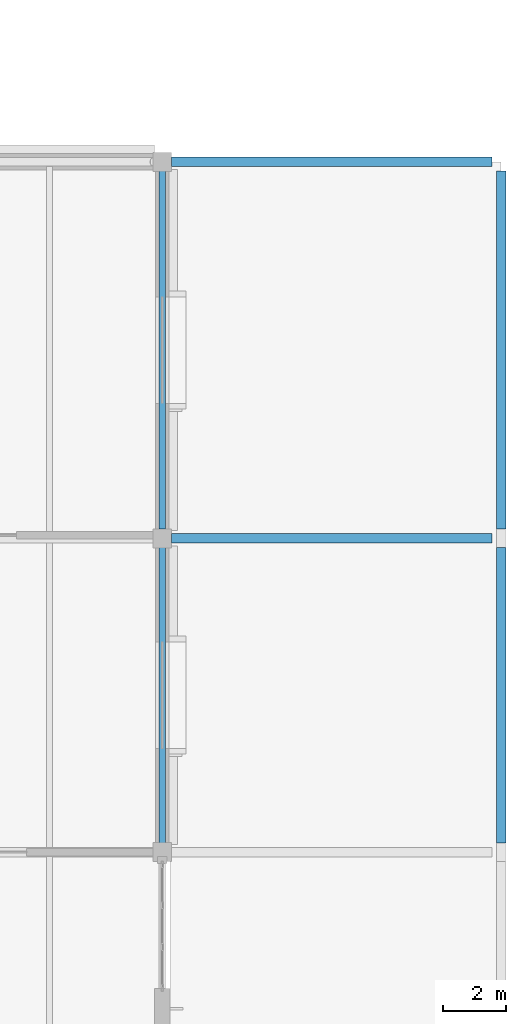
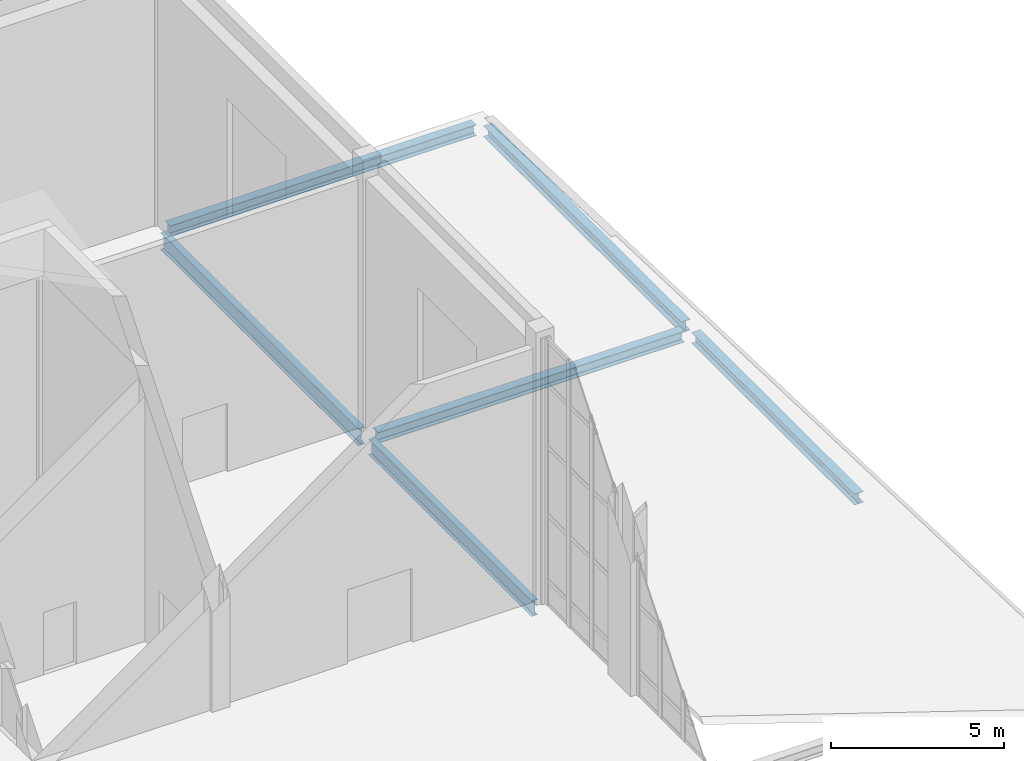
# One storey, part 60 of 100: 6 beams.
"""IFC4 building model written with IfcOpenShell, lengths in metres."""

from ifc_helpers import new_model, si_unit, direction, frame, origin, origin_2d, place, context, subcontext, project, spatial, i_section, extrude, material, material_profile, profile_set, type_object, element, save


model = new_model("IFC4")

# Units and contexts
model_context = context("Model", 3, precision=1e-05, world=origin(), true_north=direction((0.0, 1.0)))
body_context = subcontext(model_context, "Body", "Model", "MODEL_VIEW")
ifc_project = project(units=[si_unit("LENGTHUNIT", "METRE"), si_unit("AREAUNIT", "SQUARE_METRE"), si_unit("VOLUMEUNIT", "CUBIC_METRE"), si_unit("PLANEANGLEUNIT", "RADIAN"), si_unit("MASSUNIT", "GRAM", prefix="KILO")], contexts=[model_context])

# Site, building, storey
site_placement = place(None, origin())
site = spatial("IfcSite", under=ifc_project, at=site_placement, CompositionType="ELEMENT")
building_placement = place(site_placement, origin())
building = spatial("IfcBuilding", under=site, at=building_placement, Name="Tasgan Crest Museum", CompositionType="ELEMENT")
storey_placement = place(building_placement, frame((0.0, 0.0, 14.39990234375)))
storey = spatial("IfcBuildingStorey", under=building, at=storey_placement, Name="L03", CompositionType="ELEMENT", Elevation=14.39990234375)

# Beams
ifc_material_1 = material(Name="Steel S355J2", Category="steel")
ifc_material_profile_1 = material_profile(ifc_material_1, i_section(OverallWidth=0.300048828125, OverallDepth=0.389892578125, WebThickness=0.010986328125, FlangeThickness=0.01904296875, FilletRadius=0.027099609375, at=origin_2d()), Name="HEA 400")
ifc_profile_set_1 = profile_set([ifc_material_profile_1], Name="Steel S355J2")
beam_type_1 = type_object("IfcBeamType", Name="BM-G-HEA400", PredefinedType="BEAM", material=ifc_profile_set_1)
for number, where, z_axis, x_axis, name in (
    (1, (129.89599609375, 50.0, -0.474853515625), (1.0, 0.0, 0.0), (0.0, 1.0, 0.0), "East archive mid step roof girder F 129.6"),
    (2, (129.89599609375, 62.0, -0.474853515625), (1.0, 0.0, 0.0), (0.0, 1.0, 0.0), "East archive mid step roof girder G 129.6"),
):
    element("IfcBeam", number, at=place(storey_placement, frame(where, z_axis=z_axis, x_axis=x_axis)), inside=storey, type_object=beam_type_1, Name=name, PredefinedType="BEAM", context=body_context, shape_type="SweptSolid", body=[
        extrude(i_section(OverallWidth=0.300048828125, OverallDepth=0.389892578125, WebThickness=0.010986328125, FlangeThickness=0.01904296875, FilletRadius=0.027099609375, at=origin_2d()), origin(), (0.0, 0.0, 1.0), 10.2080078125),
    ])
beam_1_placement = place(storey_placement, frame((140.39990234375, 40.294921875, -0.474853515625), z_axis=(0.0, 1.0, 0.0), x_axis=(-1.0, 0.0, 0.0)))
element("IfcBeam", 3, at=beam_1_placement, inside=storey, type_object=beam_type_1, Name="East archive mid step roof beam 14 40.0", PredefinedType="BEAM", context=body_context, shape_type="SweptSolid", body=[
    extrude(i_section(OverallWidth=0.300048828125, OverallDepth=0.389892578125, WebThickness=0.010986328125, FlangeThickness=0.01904296875, FilletRadius=0.027099609375, at=origin_2d()), origin(), (0.0, 0.0, 1.0), 9.41015625),
])
beam_2_placement = place(storey_placement, frame((140.39990234375, 50.294921875, -0.474853515625), z_axis=(0.0, 1.0, 0.0), x_axis=(-1.0, 0.0, 0.0)))
element("IfcBeam", 4, at=beam_2_placement, inside=storey, type_object=beam_type_1, Name="East archive mid step roof beam 14 50.0", PredefinedType="BEAM", context=body_context, shape_type="SweptSolid", body=[
    extrude(i_section(OverallWidth=0.300048828125, OverallDepth=0.389892578125, WebThickness=0.010986328125, FlangeThickness=0.01904296875, FilletRadius=0.027099609375, at=origin_2d()), origin(), (0.0, 0.0, 1.0), 11.41015625),
])
ifc_material_2 = material(Name="Steel S355J2", Category="steel")
ifc_material_profile_2 = material_profile(ifc_material_2, i_section(OverallWidth=0.2099609375, OverallDepth=0.550048828125, WebThickness=0.010986328125, FlangeThickness=0.01708984375, FilletRadius=0.02392578125, at=origin_2d()), Name="IPE 550")
ifc_profile_set_2 = profile_set([ifc_material_profile_2], Name="Steel S355J2")
beam_type_2 = type_object("IfcBeamType", Name="BM-G-IPE550", PredefinedType="BEAM", material=ifc_profile_set_2)
beam_3_placement = place(storey_placement, frame((129.60009765625, 40.294921875, -0.554931640625), z_axis=(0.0, 1.0, 0.0), x_axis=(-1.0, 0.0, 0.0)))
element("IfcBeam", 5, at=beam_3_placement, inside=storey, type_object=beam_type_2, Name="Beam L03 13 40.0-50.0", PredefinedType="BEAM", context=body_context, shape_type="SweptSolid", body=[
    extrude(i_section(OverallWidth=0.2099609375, OverallDepth=0.550048828125, WebThickness=0.010986328125, FlangeThickness=0.01708984375, FilletRadius=0.02392578125, at=origin_2d()), origin(), (0.0, 0.0, 1.0), 9.41015625),
])
ifc_material_3 = material(Name="Steel S355J2", Category="steel")
ifc_material_profile_3 = material_profile(ifc_material_3, i_section(OverallWidth=0.219970703125, OverallDepth=0.60009765625, WebThickness=0.011962890625, FlangeThickness=0.01904296875, FilletRadius=0.02392578125, at=origin_2d()), Name="IPE 600")
ifc_profile_set_3 = profile_set([ifc_material_profile_3], Name="Steel S355J2")
beam_type_3 = type_object("IfcBeamType", Name="BM-G-IPE600", PredefinedType="BEAM", material=ifc_profile_set_3)
beam_4_placement = place(storey_placement, frame((129.60009765625, 50.294921875, -0.579833984375), z_axis=(0.0, 1.0, 0.0), x_axis=(-1.0, 0.0, 0.0)))
element("IfcBeam", 6, at=beam_4_placement, inside=storey, type_object=beam_type_3, Name="Beam L03 13 50.0-62.0", PredefinedType="BEAM", context=body_context, shape_type="SweptSolid", body=[
    extrude(i_section(OverallWidth=0.219970703125, OverallDepth=0.60009765625, WebThickness=0.011962890625, FlangeThickness=0.01904296875, FilletRadius=0.02392578125, at=origin_2d()), origin(), (0.0, 0.0, 1.0), 11.41015625),
])

save(model, "model.ifc")
